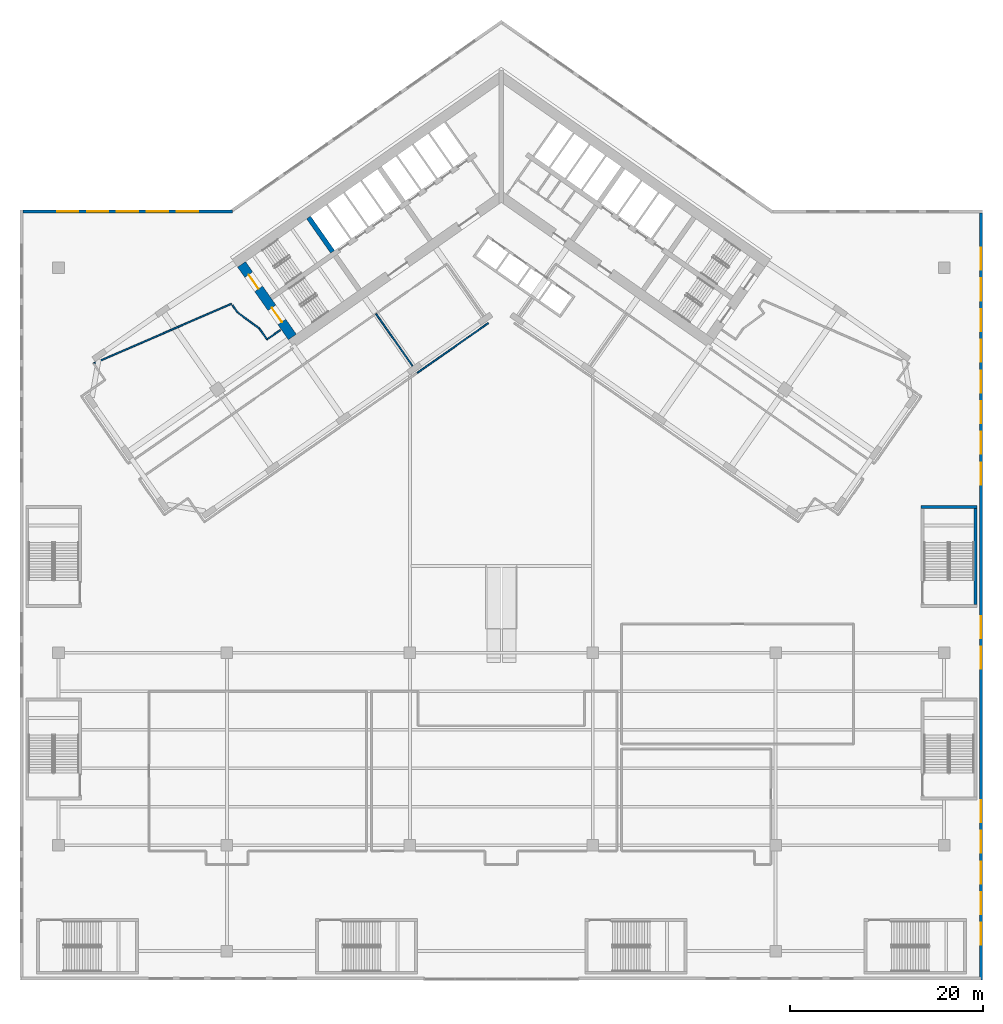
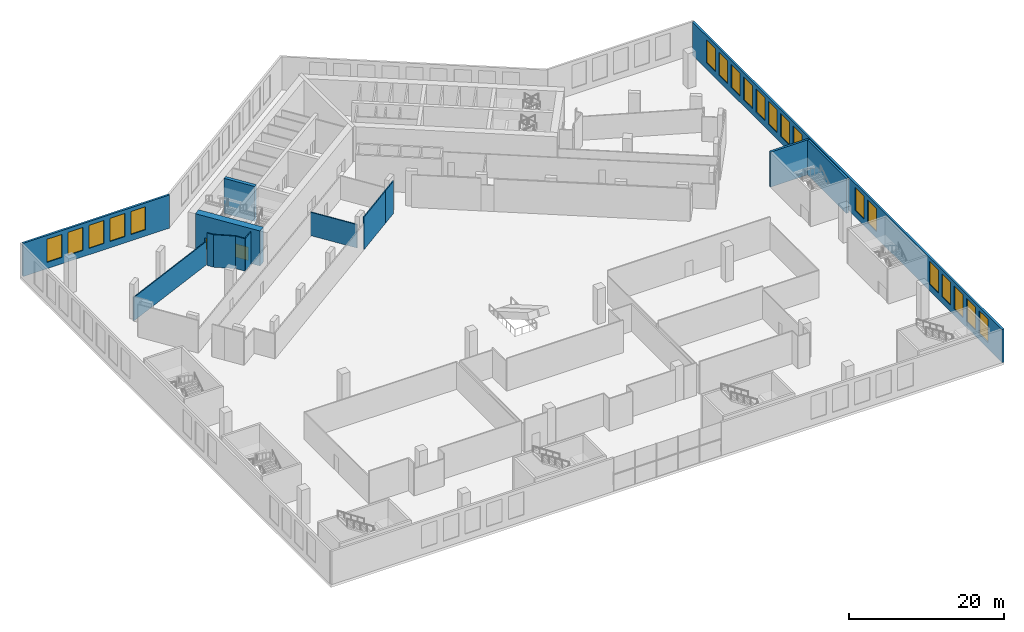
# One storey, part 9 of 26: 20 windows, 14 walls, 2 doors, 22 openings.
"""IFC4 building model written with IfcOpenShell, lengths in metres."""

from ifc_helpers import new_model, si_unit, direction, frame, frame_2d, origin, place, context, subcontext, project, spatial, polyline, rectangle, outline, extrude, material, layer, layer_set, type_object, element, fill, save


model = new_model("IFC4")

# Units and contexts
model_context = context("Model", 3, precision=1e-05, world=origin(), true_north=direction((0.0, 1.0)))
body_context = subcontext(model_context, "Body", "Model", "MODEL_VIEW")
ifc_project = project(units=[si_unit("LENGTHUNIT", "METRE"), si_unit("AREAUNIT", "SQUARE_METRE"), si_unit("VOLUMEUNIT", "CUBIC_METRE"), si_unit("PLANEANGLEUNIT", "RADIAN"), si_unit("MASSUNIT", "GRAM", prefix="KILO")], contexts=[model_context])

# Site, building, storey
site_placement = place(None, origin())
site = spatial("IfcSite", under=ifc_project, at=site_placement, CompositionType="ELEMENT")
building_placement = place(site_placement, origin())
building = spatial("IfcBuilding", under=site, at=building_placement, Name="Tel Ilan Convention Tower", CompositionType="ELEMENT")
storey_placement = place(building_placement, frame((0.0, 0.0, 37.5)))
storey = spatial("IfcBuildingStorey", under=building, at=storey_placement, Name="L05", CompositionType="ELEMENT", Elevation=37.5)

# Wall, openings, doors
ifc_material_1 = material(Name="Concrete C60/75", Category="concrete")
ifc_layer_1 = layer(ifc_material_1, 1.0)
ifc_layer_set_1 = layer_set([ifc_layer_1], Name="Core Shear Wall 1000 mm C60/75")
wall_type_1 = type_object("IfcWallType", Name="Core Shear Wall 1000 mm C60/75", PredefinedType="SHEAR", material=ifc_layer_set_1)
wall_1_placement = place(storey_placement, frame((-21.70751953125, -15.19970703125, 0.0), z_axis=(0.0, 0.0, 1.0), x_axis=(-0.573576324356, 0.819152122709, 0.0)))
wall_1 = element("IfcWall", 1, at=wall_1_placement, inside=storey, type_object=wall_type_1, Name="L05 core wall W-end", PredefinedType="SHEAR", context=body_context, shape_type="SweptSolid", body=[
    extrude(outline(polyline([(0.0, 0.5), (0.0, -0.5), (9.199951171875, -0.5), (9.199951171875, 0.5), (0.0, 0.5)])), origin(), (0.0, 0.0, 1.0), 5.5),
])
opening_1_placement = place(wall_1_placement, frame((6.10009765625, 0.0, 0.0)))
opening_1 = element("IfcOpeningElement", 2, at=opening_1_placement, cuts=wall_1, Name="Opening SD0801", PredefinedType="OPENING", context=body_context, shape_type="SweptSolid", body=[
    extrude(rectangle(XDim=1.800048828125, YDim=2.10009765625, at=frame_2d((0.89990234375, 1.050048828125))), frame((0.0, 0.510009765625, 0.0), z_axis=(0.0, -1.0, 0.0), x_axis=(1.0, 0.0, 0.0)), (0.0, 0.0, 1.0), 1.02001953125),
])
opening_2_placement = place(wall_1_placement, frame((1.89990234375, 0.0, 0.0)))
opening_2 = element("IfcOpeningElement", 3, at=opening_2_placement, cuts=wall_1, Name="Opening SD0802", PredefinedType="OPENING", context=body_context, shape_type="SweptSolid", body=[
    extrude(rectangle(XDim=1.800048828125, YDim=2.10009765625, at=frame_2d((0.89990234375, 1.050048828125))), frame((0.0, 0.510009765625, 0.0), z_axis=(0.0, -1.0, 0.0), x_axis=(1.0, 0.0, 0.0)), (0.0, 0.0, 1.0), 1.02001953125),
])
ifc_material_2 = material(Name="Galvanised Steel Door Leaf", Category="steel")
door_type = type_object("IfcDoorType", Name="Stair Fire Door 1800 x 2100 FD60S", OperationType="NOTDEFINED", PredefinedType="DOOR", material=ifc_material_2)
door_1_placement = place(opening_1_placement, origin())
door_1 = element("IfcDoor", 4, at=door_1_placement, inside=storey, type_object=door_type, Name="Stair S1 door", OperationType="DOUBLE_DOOR_SINGLE_SWING", OverallHeight=2.10009765625, OverallWidth=1.800048828125, PredefinedType="DOOR", context=body_context, shape_type="SweptSolid", body=[
    extrude(rectangle(XDim=1.800048828125, YDim=2.10009765625, at=frame_2d((0.89990234375, 1.050048828125))), frame((0.0, 0.02490234375, 0.0), z_axis=(0.0, -1.0, 0.0), x_axis=(1.0, 0.0, 0.0)), (0.0, 0.0, 1.0), 0.050048828125),
])
fill(opening_1, door_1)
door_2_placement = place(opening_2_placement, origin())
door_2 = element("IfcDoor", 5, at=door_2_placement, inside=storey, type_object=door_type, Name="Stair S2 door", OperationType="DOUBLE_DOOR_SINGLE_SWING", OverallHeight=2.10009765625, OverallWidth=1.800048828125, PredefinedType="DOOR", context=body_context, shape_type="SweptSolid", body=[
    extrude(rectangle(XDim=1.800048828125, YDim=2.10009765625, at=frame_2d((0.89990234375, 1.050048828125))), frame((0.0, 0.02490234375, 0.0), z_axis=(0.0, -1.0, 0.0), x_axis=(1.0, 0.0, 0.0)), (0.0, 0.0, 1.0), 0.050048828125),
])
fill(opening_2, door_2)

# Walls
ifc_material_3 = material(Name="Concrete C60/75", Category="concrete")
ifc_layer_2 = layer(ifc_material_3, 0.5)
ifc_layer_set_2 = layer_set([ifc_layer_2], Name="Core Shear Wall 500 mm C60/75")
wall_type_2 = type_object("IfcWallType", Name="Core Shear Wall 500 mm C60/75", PredefinedType="SHEAR", material=ifc_layer_set_2)
wall_2_placement = place(storey_placement, frame((-17.526611328125, -6.3515625, 0.0), z_axis=(0.0, 0.0, 1.0), x_axis=(-0.573530143085, 0.819184457233, 0.0)))
element("IfcWall", 6, at=wall_2_placement, inside=storey, type_object=wall_type_2, Name="L05 core wall W-cross2-2", PredefinedType="SHEAR", context=body_context, shape_type="SweptSolid", body=[
    extrude(outline(polyline([(4.35009765625, -0.249755859375), (4.35009765625, 0.250244140625), (0.0, 0.25), (0.0, -0.25), (4.35009765625, -0.249755859375)])), origin(), (0.0, 0.0, 1.0), 5.5),
])
ifc_material_4 = material(Name="Plasterboard on Steel Studs", Category="steel")
ifc_layer_3 = layer(ifc_material_4, 0.14990234375)
ifc_layer_set_3 = layer_set([ifc_layer_3], Name="Fire-rated Partition 150 EI 60")
wall_type_3 = type_object("IfcWallType", Name="Fire-rated Partition 150 EI 60", PredefinedType="PARTITIONING", material=ifc_layer_set_3)
wall_3_placement = place(storey_placement, frame((-8.722900390625, -18.92724609375, 0.0), z_axis=(0.0, 0.0, 1.0), x_axis=(0.81913387212, 0.573602388024, 0.0)))
element("IfcWall", 7, at=wall_3_placement, inside=storey, type_object=wall_type_3, Name="Partition 041", PredefinedType="PARTITIONING", context=body_context, shape_type="SweptSolid", body=[
    extrude(rectangle(XDim=6.5517578125, YDim=0.14990234375, at=frame_2d((3.27587890625, 0.0))), origin(), (0.0, 0.0, 1.0), 5.10009765625),
])
wall_4_placement = place(storey_placement, frame((-3.355224609375, -15.168701171875, 0.0), z_axis=(0.0, 0.0, 1.0), x_axis=(0.819157023945, 0.573569324599, 0.0)))
element("IfcWall", 8, at=wall_4_placement, inside=storey, type_object=wall_type_3, Name="Partition 067", PredefinedType="PARTITIONING", context=body_context, shape_type="SweptSolid", body=[
    extrude(rectangle(XDim=2.450439453125, YDim=0.14990234375, at=frame_2d((1.22509765625, 0.0))), origin(), (0.0, 0.0, 1.0), 5.10009765625),
])
wall_5_placement = place(storey_placement, frame((-28.0263671875, -11.751220703125, 0.0), z_axis=(0.0, 0.0, 1.0), x_axis=(-0.91753357696, -0.397658314577, 0.0)))
element("IfcWall", 9, at=wall_5_placement, inside=storey, type_object=wall_type_3, Name="Partition 072", PredefinedType="PARTITIONING", context=body_context, shape_type="SweptSolid", body=[
    extrude(rectangle(XDim=15.621337890625, YDim=0.14990234375, at=frame_2d((7.810546875, 0.0))), origin(), (0.0, 0.0, 1.0), 3.679931640625),
])
wall_6_placement = place(storey_placement, frame((-22.961181640625, -14.490478515625, 0.0), z_axis=(0.0, 0.0, 1.0), x_axis=(-0.819109000826, -0.573637903879, 0.0)))
element("IfcWall", 10, at=wall_6_placement, inside=storey, type_object=wall_type_3, Name="Partition 073", PredefinedType="PARTITIONING", context=body_context, shape_type="SweptSolid", body=[
    extrude(rectangle(XDim=1.679931640625, YDim=0.14990234375, at=frame_2d((0.83984375, 0.0))), origin(), (0.0, 0.0, 1.0), 5.10009765625),
])
wall_7_placement = place(storey_placement, frame((-24.337158203125, -15.4541015625, 0.0), z_axis=(0.0, 0.0, 1.0), x_axis=(-0.573571252353, 0.819155674139, 0.0)))
element("IfcWall", 11, at=wall_7_placement, inside=storey, type_object=wall_type_3, Name="Partition 074", PredefinedType="PARTITIONING", context=body_context, shape_type="SweptSolid", body=[
    extrude(rectangle(XDim=1.35400390625, YDim=0.14990234375, at=frame_2d((0.677001953125, 0.0))), origin(), (0.0, 0.0, 1.0), 5.10009765625),
])
wall_8_placement = place(storey_placement, frame((-25.11376953125, -14.344970703125, 0.0), z_axis=(0.0, 0.0, 1.0), x_axis=(-0.803169525988, 0.59575054555, 0.0)))
element("IfcWall", 12, at=wall_8_placement, inside=storey, type_object=wall_type_3, Name="Partition 075", PredefinedType="PARTITIONING", context=body_context, shape_type="SweptSolid", body=[
    extrude(rectangle(XDim=2.84619140625, YDim=0.14990234375, at=frame_2d((1.423095703125, 0.0))), origin(), (0.0, 0.0, 1.0), 5.10009765625),
])
wall_9_placement = place(storey_placement, frame((-27.399658203125, -12.6494140625, 0.0), z_axis=(0.0, 0.0, 1.0), x_axis=(-0.573713979357, 0.819055718428, 0.0)))
element("IfcWall", 13, at=wall_9_placement, inside=storey, type_object=wall_type_3, Name="Partition 076", PredefinedType="PARTITIONING", context=body_context, shape_type="SweptSolid", body=[
    extrude(rectangle(XDim=0.91162109375, YDim=0.14990234375, at=frame_2d((0.455810546875, 0.0))), origin(), (0.0, 0.0, 1.0), 5.10009765625),
])
wall_10_placement = place(storey_placement, frame((-9.22119140625, -18.212890625, 0.0), z_axis=(0.0, 0.0, 1.0), x_axis=(-0.573556251799, 0.819166177294, 0.0)))
element("IfcWall", 14, at=wall_10_placement, inside=storey, type_object=wall_type_3, Name="Partition 077", PredefinedType="PARTITIONING", context=body_context, shape_type="SweptSolid", body=[
    extrude(rectangle(XDim=6.630126953125, YDim=0.14990234375, at=frame_2d((3.31494140625, 0.0))), origin(), (0.0, 0.0, 1.0), 3.679931640625),
])

# Wall, openings, windows
ifc_material_5 = material(Name="Bronze aluminium cladding panel on insulated steel frame", Category="steel")
ifc_layer_4 = layer(ifc_material_5, 0.300048828125)
ifc_layer_set_4 = layer_set([ifc_layer_4], Name="PODIUM CLADDING WALL 300")
wall_type_4 = type_object("IfcWallType", Name="PODIUM CLADDING WALL 300", PredefinedType="SOLIDWALL", material=ifc_layer_set_4)
wall_11_placement = place(storey_placement, frame((-49.699951171875, -2.14990234375, 0.0), z_axis=(0.0, 0.0, 1.0), x_axis=(1.0, 0.0, 0.0)))
wall_11 = element("IfcWall", 15, at=wall_11_placement, inside=storey, type_object=wall_type_4, Name="Podium cladding wall", PredefinedType="SOLIDWALL", context=body_context, shape_type="SweptSolid", body=[
    extrude(rectangle(XDim=21.760986328125, YDim=0.300048828125, at=frame_2d((10.88037109375, 0.0))), origin(), (0.0, 0.0, 1.0), 5.219970703125),
])
opening_3_placement = place(wall_11_placement, frame((3.558837890625, 0.0, 1.0)))
opening_3 = element("IfcOpeningElement", 16, at=opening_3_placement, cuts=wall_11, Name="Opening W-08.026", PredefinedType="OPENING", context=body_context, shape_type="SweptSolid", body=[
    extrude(rectangle(XDim=2.208740234375, YDim=3.6201171875, at=frame_2d((1.1044921875, 1.81005859375))), frame((0.0, 0.159912109375, 0.0), z_axis=(0.0, -1.0, 0.0), x_axis=(1.0, 0.0, 0.0)), (0.0, 0.0, 1.0), 0.320068359375),
])
opening_4_placement = place(wall_11_placement, frame((6.66748046875, 0.0, 1.0)))
opening_4 = element("IfcOpeningElement", 17, at=opening_4_placement, cuts=wall_11, Name="Opening W-08.027", PredefinedType="OPENING", context=body_context, shape_type="SweptSolid", body=[
    extrude(rectangle(XDim=2.208740234375, YDim=3.6201171875, at=frame_2d((1.1044921875, 1.81005859375))), frame((0.0, 0.159912109375, 0.0), z_axis=(0.0, -1.0, 0.0), x_axis=(1.0, 0.0, 0.0)), (0.0, 0.0, 1.0), 0.320068359375),
])
opening_5_placement = place(wall_11_placement, frame((9.776123046875, 0.0, 1.0)))
opening_5 = element("IfcOpeningElement", 18, at=opening_5_placement, cuts=wall_11, Name="Opening W-08.028", PredefinedType="OPENING", context=body_context, shape_type="SweptSolid", body=[
    extrude(rectangle(XDim=2.208740234375, YDim=3.6201171875, at=frame_2d((1.1044921875, 1.81005859375))), frame((0.0, 0.159912109375, 0.0), z_axis=(0.0, -1.0, 0.0), x_axis=(1.0, 0.0, 0.0)), (0.0, 0.0, 1.0), 0.320068359375),
])
opening_6_placement = place(wall_11_placement, frame((12.884765625, 0.0, 1.0)))
opening_6 = element("IfcOpeningElement", 19, at=opening_6_placement, cuts=wall_11, Name="Opening W-08.029", PredefinedType="OPENING", context=body_context, shape_type="SweptSolid", body=[
    extrude(rectangle(XDim=2.208740234375, YDim=3.6201171875, at=frame_2d((1.1044921875, 1.81005859375))), frame((0.0, 0.159912109375, 0.0), z_axis=(0.0, -1.0, 0.0), x_axis=(1.0, 0.0, 0.0)), (0.0, 0.0, 1.0), 0.320068359375),
])
opening_7_placement = place(wall_11_placement, frame((15.99365234375, 0.0, 1.0)))
opening_7 = element("IfcOpeningElement", 20, at=opening_7_placement, cuts=wall_11, Name="Opening W-08.030", PredefinedType="OPENING", context=body_context, shape_type="SweptSolid", body=[
    extrude(rectangle(XDim=2.208740234375, YDim=3.6201171875, at=frame_2d((1.1044921875, 1.81005859375))), frame((0.0, 0.159912109375, 0.0), z_axis=(0.0, -1.0, 0.0), x_axis=(1.0, 0.0, 0.0)), (0.0, 0.0, 1.0), 0.320068359375),
])
ifc_material_6 = material(Name="Aluminium framed glazing, bronze anodised, tinted glass", Category="aluminium")
window_type_1 = type_object("IfcWindowType", Name="PODIUM WINDOW 2209x3620", PartitioningType="SINGLE_PANEL", PredefinedType="WINDOW", material=ifc_material_6)
window_1_placement = place(opening_3_placement, origin())
window_1 = element("IfcWindow", 21, at=window_1_placement, inside=storey, type_object=window_type_1, Name="Podium window", OverallHeight=3.6201171875, OverallWidth=2.208740234375, PartitioningType="SINGLE_PANEL", PredefinedType="WINDOW", context=body_context, shape_type="SweptSolid", body=[
    extrude(rectangle(XDim=2.208740234375, YDim=3.6201171875, at=frame_2d((1.1044921875, 1.81005859375))), frame((0.0, 0.030029296875, 0.0), z_axis=(0.0, -1.0, 0.0), x_axis=(1.0, 0.0, 0.0)), (0.0, 0.0, 1.0), 0.06005859375),
])
fill(opening_3, window_1)
window_2_placement = place(opening_4_placement, origin())
window_2 = element("IfcWindow", 22, at=window_2_placement, inside=storey, type_object=window_type_1, Name="Podium window", OverallHeight=3.6201171875, OverallWidth=2.208740234375, PartitioningType="SINGLE_PANEL", PredefinedType="WINDOW", context=body_context, shape_type="SweptSolid", body=[
    extrude(rectangle(XDim=2.208740234375, YDim=3.6201171875, at=frame_2d((1.1044921875, 1.81005859375))), frame((0.0, 0.030029296875, 0.0), z_axis=(0.0, -1.0, 0.0), x_axis=(1.0, 0.0, 0.0)), (0.0, 0.0, 1.0), 0.06005859375),
])
fill(opening_4, window_2)
window_3_placement = place(opening_5_placement, origin())
window_3 = element("IfcWindow", 23, at=window_3_placement, inside=storey, type_object=window_type_1, Name="Podium window", OverallHeight=3.6201171875, OverallWidth=2.208740234375, PartitioningType="SINGLE_PANEL", PredefinedType="WINDOW", context=body_context, shape_type="SweptSolid", body=[
    extrude(rectangle(XDim=2.208740234375, YDim=3.6201171875, at=frame_2d((1.1044921875, 1.81005859375))), frame((0.0, 0.030029296875, 0.0), z_axis=(0.0, -1.0, 0.0), x_axis=(1.0, 0.0, 0.0)), (0.0, 0.0, 1.0), 0.06005859375),
])
fill(opening_5, window_3)
window_4_placement = place(opening_6_placement, origin())
window_4 = element("IfcWindow", 24, at=window_4_placement, inside=storey, type_object=window_type_1, Name="Podium window", OverallHeight=3.6201171875, OverallWidth=2.208740234375, PartitioningType="SINGLE_PANEL", PredefinedType="WINDOW", context=body_context, shape_type="SweptSolid", body=[
    extrude(rectangle(XDim=2.208740234375, YDim=3.6201171875, at=frame_2d((1.1044921875, 1.81005859375))), frame((0.0, 0.030029296875, 0.0), z_axis=(0.0, -1.0, 0.0), x_axis=(1.0, 0.0, 0.0)), (0.0, 0.0, 1.0), 0.06005859375),
])
fill(opening_6, window_4)
window_5_placement = place(opening_7_placement, origin())
window_5 = element("IfcWindow", 25, at=window_5_placement, inside=storey, type_object=window_type_1, Name="Podium window", OverallHeight=3.6201171875, OverallWidth=2.208740234375, PartitioningType="SINGLE_PANEL", PredefinedType="WINDOW", context=body_context, shape_type="SweptSolid", body=[
    extrude(rectangle(XDim=2.208740234375, YDim=3.6201171875, at=frame_2d((1.1044921875, 1.81005859375))), frame((0.0, 0.030029296875, 0.0), z_axis=(0.0, -1.0, 0.0), x_axis=(1.0, 0.0, 0.0)), (0.0, 0.0, 1.0), 0.06005859375),
])
fill(opening_7, window_5)

wall_12_placement = place(storey_placement, frame((49.85009765625, -2.300048828125, 0.0), z_axis=(0.0, 0.0, 1.0), x_axis=(0.0, -1.0, 0.0)))
wall_12 = element("IfcWall", 26, at=wall_12_placement, inside=storey, type_object=wall_type_4, Name="Podium cladding wall", PredefinedType="SOLIDWALL", context=body_context, shape_type="SweptSolid", body=[
    extrude(rectangle(XDim=79.699951171875, YDim=0.300048828125, at=frame_2d((39.85009765625, 0.0))), origin(), (0.0, 0.0, 1.0), 5.219970703125),
])
opening_8_placement = place(wall_12_placement, frame((3.637939453125, 0.0, 1.0)))
opening_8 = element("IfcOpeningElement", 27, at=opening_8_placement, cuts=wall_12, Name="Opening W-08.054", PredefinedType="OPENING", context=body_context, shape_type="SweptSolid", body=[
    extrude(rectangle(XDim=2.2880859375, YDim=3.6201171875, at=frame_2d((1.14404296875, 1.81005859375))), frame((0.0, 0.159912109375, 0.0), z_axis=(0.0, -1.0, 0.0), x_axis=(1.0, 0.0, 0.0)), (0.0, 0.0, 1.0), 0.320068359375),
])
opening_9_placement = place(wall_12_placement, frame((6.825927734375, 0.0, 1.0)))
opening_9 = element("IfcOpeningElement", 28, at=opening_9_placement, cuts=wall_12, Name="Opening W-08.055", PredefinedType="OPENING", context=body_context, shape_type="SweptSolid", body=[
    extrude(rectangle(XDim=2.2880859375, YDim=3.6201171875, at=frame_2d((1.14404296875, 1.81005859375))), frame((0.0, 0.159912109375, 0.0), z_axis=(0.0, -1.0, 0.0), x_axis=(1.0, 0.0, 0.0)), (0.0, 0.0, 1.0), 0.320068359375),
])
opening_10_placement = place(wall_12_placement, frame((10.013916015625, 0.0, 1.0)))
opening_10 = element("IfcOpeningElement", 29, at=opening_10_placement, cuts=wall_12, Name="Opening W-08.056", PredefinedType="OPENING", context=body_context, shape_type="SweptSolid", body=[
    extrude(rectangle(XDim=2.2880859375, YDim=3.6201171875, at=frame_2d((1.14404296875, 1.81005859375))), frame((0.0, 0.159912109375, 0.0), z_axis=(0.0, -1.0, 0.0), x_axis=(1.0, 0.0, 0.0)), (0.0, 0.0, 1.0), 0.320068359375),
])
opening_11_placement = place(wall_12_placement, frame((13.201904296875, 0.0, 1.0)))
opening_11 = element("IfcOpeningElement", 30, at=opening_11_placement, cuts=wall_12, Name="Opening W-08.057", PredefinedType="OPENING", context=body_context, shape_type="SweptSolid", body=[
    extrude(rectangle(XDim=2.2880859375, YDim=3.6201171875, at=frame_2d((1.14404296875, 1.81005859375))), frame((0.0, 0.159912109375, 0.0), z_axis=(0.0, -1.0, 0.0), x_axis=(1.0, 0.0, 0.0)), (0.0, 0.0, 1.0), 0.320068359375),
])
opening_12_placement = place(wall_12_placement, frame((16.389892578125, 0.0, 1.0)))
opening_12 = element("IfcOpeningElement", 31, at=opening_12_placement, cuts=wall_12, Name="Opening W-08.058", PredefinedType="OPENING", context=body_context, shape_type="SweptSolid", body=[
    extrude(rectangle(XDim=2.2880859375, YDim=3.6201171875, at=frame_2d((1.14404296875, 1.81005859375))), frame((0.0, 0.159912109375, 0.0), z_axis=(0.0, -1.0, 0.0), x_axis=(1.0, 0.0, 0.0)), (0.0, 0.0, 1.0), 0.320068359375),
])
opening_13_placement = place(wall_12_placement, frame((19.577880859375, 0.0, 1.0)))
opening_13 = element("IfcOpeningElement", 32, at=opening_13_placement, cuts=wall_12, Name="Opening W-08.059", PredefinedType="OPENING", context=body_context, shape_type="SweptSolid", body=[
    extrude(rectangle(XDim=2.2880859375, YDim=3.6201171875, at=frame_2d((1.14404296875, 1.81005859375))), frame((0.0, 0.159912109375, 0.0), z_axis=(0.0, -1.0, 0.0), x_axis=(1.0, 0.0, 0.0)), (0.0, 0.0, 1.0), 0.320068359375),
])
opening_14_placement = place(wall_12_placement, frame((22.76611328125, 0.0, 1.0)))
opening_14 = element("IfcOpeningElement", 33, at=opening_14_placement, cuts=wall_12, Name="Opening W-08.060", PredefinedType="OPENING", context=body_context, shape_type="SweptSolid", body=[
    extrude(rectangle(XDim=2.2880859375, YDim=3.6201171875, at=frame_2d((1.14404296875, 1.81005859375))), frame((0.0, 0.159912109375, 0.0), z_axis=(0.0, -1.0, 0.0), x_axis=(1.0, 0.0, 0.0)), (0.0, 0.0, 1.0), 0.320068359375),
])
opening_15_placement = place(wall_12_placement, frame((25.9541015625, 0.0, 1.0)))
opening_15 = element("IfcOpeningElement", 34, at=opening_15_placement, cuts=wall_12, Name="Opening W-08.061", PredefinedType="OPENING", context=body_context, shape_type="SweptSolid", body=[
    extrude(rectangle(XDim=2.2880859375, YDim=3.6201171875, at=frame_2d((1.14404296875, 1.81005859375))), frame((0.0, 0.159912109375, 0.0), z_axis=(0.0, -1.0, 0.0), x_axis=(1.0, 0.0, 0.0)), (0.0, 0.0, 1.0), 0.320068359375),
])
opening_16_placement = place(wall_12_placement, frame((41.89404296875, 0.0, 1.0)))
opening_16 = element("IfcOpeningElement", 35, at=opening_16_placement, cuts=wall_12, Name="Opening W-08.062", PredefinedType="OPENING", context=body_context, shape_type="SweptSolid", body=[
    extrude(rectangle(XDim=2.2880859375, YDim=3.6201171875, at=frame_2d((1.14404296875, 1.81005859375))), frame((0.0, 0.159912109375, 0.0), z_axis=(0.0, -1.0, 0.0), x_axis=(1.0, 0.0, 0.0)), (0.0, 0.0, 1.0), 0.320068359375),
])
opening_17_placement = place(wall_12_placement, frame((45.08203125, 0.0, 1.0)))
opening_17 = element("IfcOpeningElement", 36, at=opening_17_placement, cuts=wall_12, Name="Opening W-08.063", PredefinedType="OPENING", context=body_context, shape_type="SweptSolid", body=[
    extrude(rectangle(XDim=2.2880859375, YDim=3.6201171875, at=frame_2d((1.14404296875, 1.81005859375))), frame((0.0, 0.159912109375, 0.0), z_axis=(0.0, -1.0, 0.0), x_axis=(1.0, 0.0, 0.0)), (0.0, 0.0, 1.0), 0.320068359375),
])
opening_18_placement = place(wall_12_placement, frame((61.02197265625, 0.0, 1.0)))
opening_18 = element("IfcOpeningElement", 37, at=opening_18_placement, cuts=wall_12, Name="Opening W-08.064", PredefinedType="OPENING", context=body_context, shape_type="SweptSolid", body=[
    extrude(rectangle(XDim=2.2880859375, YDim=3.6201171875, at=frame_2d((1.14404296875, 1.81005859375))), frame((0.0, 0.159912109375, 0.0), z_axis=(0.0, -1.0, 0.0), x_axis=(1.0, 0.0, 0.0)), (0.0, 0.0, 1.0), 0.320068359375),
])
opening_19_placement = place(wall_12_placement, frame((64.2099609375, 0.0, 1.0)))
opening_19 = element("IfcOpeningElement", 38, at=opening_19_placement, cuts=wall_12, Name="Opening W-08.065", PredefinedType="OPENING", context=body_context, shape_type="SweptSolid", body=[
    extrude(rectangle(XDim=2.2880859375, YDim=3.6201171875, at=frame_2d((1.14404296875, 1.81005859375))), frame((0.0, 0.159912109375, 0.0), z_axis=(0.0, -1.0, 0.0), x_axis=(1.0, 0.0, 0.0)), (0.0, 0.0, 1.0), 0.320068359375),
])
opening_20_placement = place(wall_12_placement, frame((67.39794921875, 0.0, 1.0)))
opening_20 = element("IfcOpeningElement", 39, at=opening_20_placement, cuts=wall_12, Name="Opening W-08.066", PredefinedType="OPENING", context=body_context, shape_type="SweptSolid", body=[
    extrude(rectangle(XDim=2.2880859375, YDim=3.6201171875, at=frame_2d((1.14404296875, 1.81005859375))), frame((0.0, 0.159912109375, 0.0), z_axis=(0.0, -1.0, 0.0), x_axis=(1.0, 0.0, 0.0)), (0.0, 0.0, 1.0), 0.320068359375),
])
opening_21_placement = place(wall_12_placement, frame((70.5859375, 0.0, 1.0)))
opening_21 = element("IfcOpeningElement", 40, at=opening_21_placement, cuts=wall_12, Name="Opening W-08.067", PredefinedType="OPENING", context=body_context, shape_type="SweptSolid", body=[
    extrude(rectangle(XDim=2.2880859375, YDim=3.6201171875, at=frame_2d((1.14404296875, 1.81005859375))), frame((0.0, 0.159912109375, 0.0), z_axis=(0.0, -1.0, 0.0), x_axis=(1.0, 0.0, 0.0)), (0.0, 0.0, 1.0), 0.320068359375),
])
opening_22_placement = place(wall_12_placement, frame((73.77392578125, 0.0, 1.0)))
opening_22 = element("IfcOpeningElement", 41, at=opening_22_placement, cuts=wall_12, Name="Opening W-08.068", PredefinedType="OPENING", context=body_context, shape_type="SweptSolid", body=[
    extrude(rectangle(XDim=2.2880859375, YDim=3.6201171875, at=frame_2d((1.14404296875, 1.81005859375))), frame((0.0, 0.159912109375, 0.0), z_axis=(0.0, -1.0, 0.0), x_axis=(1.0, 0.0, 0.0)), (0.0, 0.0, 1.0), 0.320068359375),
])
ifc_material_7 = material(Name="Aluminium framed glazing, bronze anodised, tinted glass", Category="aluminium")
window_type_2 = type_object("IfcWindowType", Name="PODIUM WINDOW 2288x3620", PartitioningType="SINGLE_PANEL", PredefinedType="WINDOW", material=ifc_material_7)
window_6_placement = place(opening_8_placement, origin())
window_6 = element("IfcWindow", 42, at=window_6_placement, inside=storey, type_object=window_type_2, Name="Podium window", OverallHeight=3.6201171875, OverallWidth=2.2880859375, PartitioningType="SINGLE_PANEL", PredefinedType="WINDOW", context=body_context, shape_type="SweptSolid", body=[
    extrude(rectangle(XDim=2.2880859375, YDim=3.6201171875, at=frame_2d((1.14404296875, 1.81005859375))), frame((0.0, 0.030029296875, 0.0), z_axis=(0.0, -1.0, 0.0), x_axis=(1.0, 0.0, 0.0)), (0.0, 0.0, 1.0), 0.06005859375),
])
fill(opening_8, window_6)
window_7_placement = place(opening_9_placement, origin())
window_7 = element("IfcWindow", 43, at=window_7_placement, inside=storey, type_object=window_type_2, Name="Podium window", OverallHeight=3.6201171875, OverallWidth=2.2880859375, PartitioningType="SINGLE_PANEL", PredefinedType="WINDOW", context=body_context, shape_type="SweptSolid", body=[
    extrude(rectangle(XDim=2.2880859375, YDim=3.6201171875, at=frame_2d((1.14404296875, 1.81005859375))), frame((0.0, 0.030029296875, 0.0), z_axis=(0.0, -1.0, 0.0), x_axis=(1.0, 0.0, 0.0)), (0.0, 0.0, 1.0), 0.06005859375),
])
fill(opening_9, window_7)
window_8_placement = place(opening_10_placement, origin())
window_8 = element("IfcWindow", 44, at=window_8_placement, inside=storey, type_object=window_type_2, Name="Podium window", OverallHeight=3.6201171875, OverallWidth=2.2880859375, PartitioningType="SINGLE_PANEL", PredefinedType="WINDOW", context=body_context, shape_type="SweptSolid", body=[
    extrude(rectangle(XDim=2.2880859375, YDim=3.6201171875, at=frame_2d((1.14404296875, 1.81005859375))), frame((0.0, 0.030029296875, 0.0), z_axis=(0.0, -1.0, 0.0), x_axis=(1.0, 0.0, 0.0)), (0.0, 0.0, 1.0), 0.06005859375),
])
fill(opening_10, window_8)
window_9_placement = place(opening_11_placement, origin())
window_9 = element("IfcWindow", 45, at=window_9_placement, inside=storey, type_object=window_type_2, Name="Podium window", OverallHeight=3.6201171875, OverallWidth=2.2880859375, PartitioningType="SINGLE_PANEL", PredefinedType="WINDOW", context=body_context, shape_type="SweptSolid", body=[
    extrude(rectangle(XDim=2.2880859375, YDim=3.6201171875, at=frame_2d((1.14404296875, 1.81005859375))), frame((0.0, 0.030029296875, 0.0), z_axis=(0.0, -1.0, 0.0), x_axis=(1.0, 0.0, 0.0)), (0.0, 0.0, 1.0), 0.06005859375),
])
fill(opening_11, window_9)
window_10_placement = place(opening_12_placement, origin())
window_10 = element("IfcWindow", 46, at=window_10_placement, inside=storey, type_object=window_type_2, Name="Podium window", OverallHeight=3.6201171875, OverallWidth=2.2880859375, PartitioningType="SINGLE_PANEL", PredefinedType="WINDOW", context=body_context, shape_type="SweptSolid", body=[
    extrude(rectangle(XDim=2.2880859375, YDim=3.6201171875, at=frame_2d((1.14404296875, 1.81005859375))), frame((0.0, 0.030029296875, 0.0), z_axis=(0.0, -1.0, 0.0), x_axis=(1.0, 0.0, 0.0)), (0.0, 0.0, 1.0), 0.06005859375),
])
fill(opening_12, window_10)
window_11_placement = place(opening_13_placement, origin())
window_11 = element("IfcWindow", 47, at=window_11_placement, inside=storey, type_object=window_type_2, Name="Podium window", OverallHeight=3.6201171875, OverallWidth=2.2880859375, PartitioningType="SINGLE_PANEL", PredefinedType="WINDOW", context=body_context, shape_type="SweptSolid", body=[
    extrude(rectangle(XDim=2.2880859375, YDim=3.6201171875, at=frame_2d((1.14404296875, 1.81005859375))), frame((0.0, 0.030029296875, 0.0), z_axis=(0.0, -1.0, 0.0), x_axis=(1.0, 0.0, 0.0)), (0.0, 0.0, 1.0), 0.06005859375),
])
fill(opening_13, window_11)
window_12_placement = place(opening_14_placement, origin())
window_12 = element("IfcWindow", 48, at=window_12_placement, inside=storey, type_object=window_type_2, Name="Podium window", OverallHeight=3.6201171875, OverallWidth=2.2880859375, PartitioningType="SINGLE_PANEL", PredefinedType="WINDOW", context=body_context, shape_type="SweptSolid", body=[
    extrude(rectangle(XDim=2.2880859375, YDim=3.6201171875, at=frame_2d((1.14404296875, 1.81005859375))), frame((0.0, 0.030029296875, 0.0), z_axis=(0.0, -1.0, 0.0), x_axis=(1.0, 0.0, 0.0)), (0.0, 0.0, 1.0), 0.06005859375),
])
fill(opening_14, window_12)
window_13_placement = place(opening_15_placement, origin())
window_13 = element("IfcWindow", 49, at=window_13_placement, inside=storey, type_object=window_type_2, Name="Podium window", OverallHeight=3.6201171875, OverallWidth=2.2880859375, PartitioningType="SINGLE_PANEL", PredefinedType="WINDOW", context=body_context, shape_type="SweptSolid", body=[
    extrude(rectangle(XDim=2.2880859375, YDim=3.6201171875, at=frame_2d((1.14404296875, 1.81005859375))), frame((0.0, 0.030029296875, 0.0), z_axis=(0.0, -1.0, 0.0), x_axis=(1.0, 0.0, 0.0)), (0.0, 0.0, 1.0), 0.06005859375),
])
fill(opening_15, window_13)
window_14_placement = place(opening_16_placement, origin())
window_14 = element("IfcWindow", 50, at=window_14_placement, inside=storey, type_object=window_type_2, Name="Podium window", OverallHeight=3.6201171875, OverallWidth=2.2880859375, PartitioningType="SINGLE_PANEL", PredefinedType="WINDOW", context=body_context, shape_type="SweptSolid", body=[
    extrude(rectangle(XDim=2.2880859375, YDim=3.6201171875, at=frame_2d((1.14404296875, 1.81005859375))), frame((0.0, 0.030029296875, 0.0), z_axis=(0.0, -1.0, 0.0), x_axis=(1.0, 0.0, 0.0)), (0.0, 0.0, 1.0), 0.06005859375),
])
fill(opening_16, window_14)
window_15_placement = place(opening_17_placement, origin())
window_15 = element("IfcWindow", 51, at=window_15_placement, inside=storey, type_object=window_type_2, Name="Podium window", OverallHeight=3.6201171875, OverallWidth=2.2880859375, PartitioningType="SINGLE_PANEL", PredefinedType="WINDOW", context=body_context, shape_type="SweptSolid", body=[
    extrude(rectangle(XDim=2.2880859375, YDim=3.6201171875, at=frame_2d((1.14404296875, 1.81005859375))), frame((0.0, 0.030029296875, 0.0), z_axis=(0.0, -1.0, 0.0), x_axis=(1.0, 0.0, 0.0)), (0.0, 0.0, 1.0), 0.06005859375),
])
fill(opening_17, window_15)
window_16_placement = place(opening_18_placement, origin())
window_16 = element("IfcWindow", 52, at=window_16_placement, inside=storey, type_object=window_type_2, Name="Podium window", OverallHeight=3.6201171875, OverallWidth=2.2880859375, PartitioningType="SINGLE_PANEL", PredefinedType="WINDOW", context=body_context, shape_type="SweptSolid", body=[
    extrude(rectangle(XDim=2.2880859375, YDim=3.6201171875, at=frame_2d((1.14404296875, 1.81005859375))), frame((0.0, 0.030029296875, 0.0), z_axis=(0.0, -1.0, 0.0), x_axis=(1.0, 0.0, 0.0)), (0.0, 0.0, 1.0), 0.06005859375),
])
fill(opening_18, window_16)
window_17_placement = place(opening_19_placement, origin())
window_17 = element("IfcWindow", 53, at=window_17_placement, inside=storey, type_object=window_type_2, Name="Podium window", OverallHeight=3.6201171875, OverallWidth=2.2880859375, PartitioningType="SINGLE_PANEL", PredefinedType="WINDOW", context=body_context, shape_type="SweptSolid", body=[
    extrude(rectangle(XDim=2.2880859375, YDim=3.6201171875, at=frame_2d((1.14404296875, 1.81005859375))), frame((0.0, 0.030029296875, 0.0), z_axis=(0.0, -1.0, 0.0), x_axis=(1.0, 0.0, 0.0)), (0.0, 0.0, 1.0), 0.06005859375),
])
fill(opening_19, window_17)
window_18_placement = place(opening_20_placement, origin())
window_18 = element("IfcWindow", 54, at=window_18_placement, inside=storey, type_object=window_type_2, Name="Podium window", OverallHeight=3.6201171875, OverallWidth=2.2880859375, PartitioningType="SINGLE_PANEL", PredefinedType="WINDOW", context=body_context, shape_type="SweptSolid", body=[
    extrude(rectangle(XDim=2.2880859375, YDim=3.6201171875, at=frame_2d((1.14404296875, 1.81005859375))), frame((0.0, 0.030029296875, 0.0), z_axis=(0.0, -1.0, 0.0), x_axis=(1.0, 0.0, 0.0)), (0.0, 0.0, 1.0), 0.06005859375),
])
fill(opening_20, window_18)
window_19_placement = place(opening_21_placement, origin())
window_19 = element("IfcWindow", 55, at=window_19_placement, inside=storey, type_object=window_type_2, Name="Podium window", OverallHeight=3.6201171875, OverallWidth=2.2880859375, PartitioningType="SINGLE_PANEL", PredefinedType="WINDOW", context=body_context, shape_type="SweptSolid", body=[
    extrude(rectangle(XDim=2.2880859375, YDim=3.6201171875, at=frame_2d((1.14404296875, 1.81005859375))), frame((0.0, 0.030029296875, 0.0), z_axis=(0.0, -1.0, 0.0), x_axis=(1.0, 0.0, 0.0)), (0.0, 0.0, 1.0), 0.06005859375),
])
fill(opening_21, window_19)
window_20_placement = place(opening_22_placement, origin())
window_20 = element("IfcWindow", 56, at=window_20_placement, inside=storey, type_object=window_type_2, Name="Podium window", OverallHeight=3.6201171875, OverallWidth=2.2880859375, PartitioningType="SINGLE_PANEL", PredefinedType="WINDOW", context=body_context, shape_type="SweptSolid", body=[
    extrude(rectangle(XDim=2.2880859375, YDim=3.6201171875, at=frame_2d((1.14404296875, 1.81005859375))), frame((0.0, 0.030029296875, 0.0), z_axis=(0.0, -1.0, 0.0), x_axis=(1.0, 0.0, 0.0)), (0.0, 0.0, 1.0), 0.06005859375),
])
fill(opening_22, window_20)

# Walls
ifc_material_8 = material(Name="Concrete C40/50", Category="concrete")
ifc_layer_5 = layer(ifc_material_8, 0.300048828125)
ifc_layer_set_5 = layer_set([ifc_layer_5], Name="Stair Enclosure Wall 300 mm C40/50")
wall_type_5 = type_object("IfcWallType", Name="Stair Enclosure Wall 300 mm C40/50", PredefinedType="SOLIDWALL", material=ifc_layer_set_5)
wall_13_placement = place(storey_placement, frame((43.60009765625, -32.85009765625, 0.0), z_axis=(0.0, 0.0, 1.0), x_axis=(1.0, 0.0, 0.0)))
element("IfcWall", 57, at=wall_13_placement, inside=storey, type_object=wall_type_5, Name="P8 stair enclosure wall N L05", PredefinedType="SOLIDWALL", context=body_context, shape_type="SweptSolid", body=[
    extrude(rectangle(XDim=5.7998046875, YDim=0.300048828125, at=frame_2d((2.89990234375, 0.0))), origin(), (0.0, 0.0, 1.0), 5.5),
])
wall_14_placement = place(storey_placement, frame((49.25, -43.0, 0.0), z_axis=(0.0, 0.0, 1.0), x_axis=(0.0, 1.0, 0.0)))
element("IfcWall", 58, at=wall_14_placement, inside=storey, type_object=wall_type_5, Name="P8 stair enclosure wall E L05", PredefinedType="SOLIDWALL", context=body_context, shape_type="SweptSolid", body=[
    extrude(rectangle(XDim=10.0, YDim=0.300048828125, at=frame_2d((5.0, 0.0))), origin(), (0.0, 0.0, 1.0), 5.5),
])

save(model, "model.ifc")
